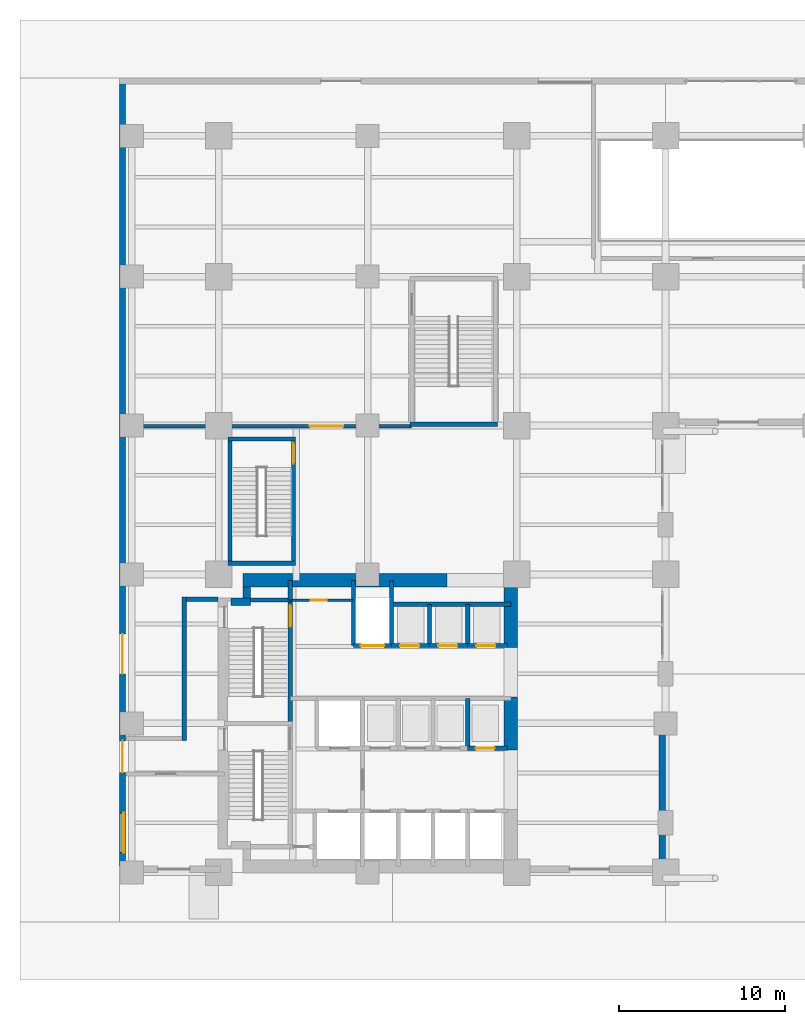
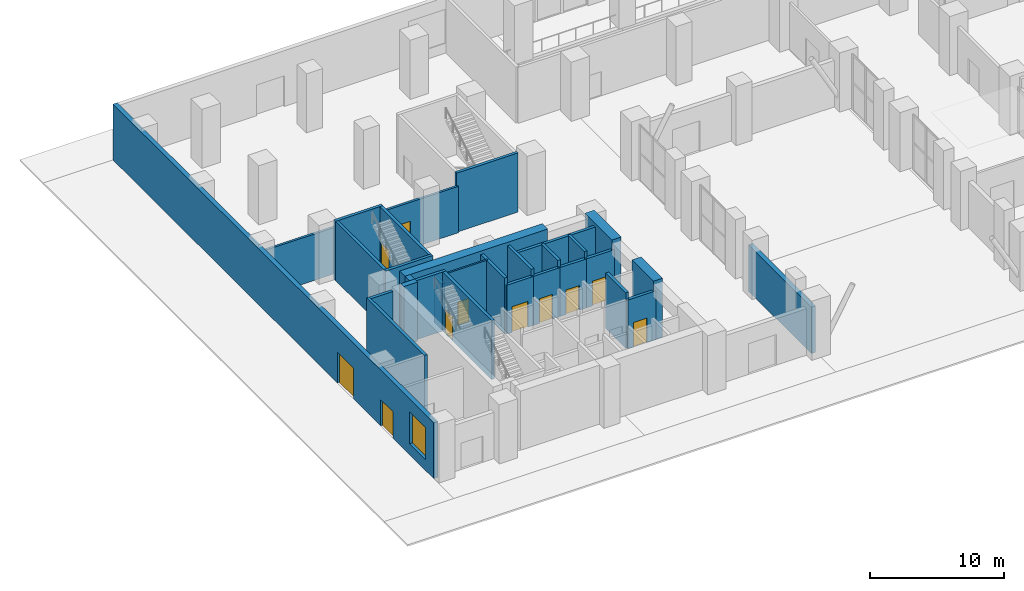
# One storey, part 12 of 17: 30 walls, 11 doors, 1 window, 12 openings.
"""IFC4 building model written with IfcOpenShell, lengths in metres."""

import ifcopenshell
import ifcopenshell.guid

model = None  # the IFC model being written
_history = None  # IfcOwnerHistory: only IFC2X3 demands one
_inside = {}  # id of a spatial element -> (the spatial element, [elements in it])
_under = {}  # id of a project, library or spatial element -> (it, [spatial elements below it])
_declared = {}  # id of a project -> (the project, [libraries it declares])
_typed = {}  # id of a type object -> (the type object, [elements of that type])
_made_of = {}  # id of a material, layer set ... -> (it, [elements and type objects made of it])


def new_model(schema):
    """Start an empty IFC model of exactly this schema.

    Asked for "IFC4X3", IfcOpenShell would pick the latest addendum, in which some entities
    have other attributes; the version numbers below select the first issue.
    IFC2X3 requires an IfcOwnerHistory on every rooted entity: one is made here for all.
    """
    global model, _history
    if schema == "IFC4X3":
        model = ifcopenshell.file(schema_version=(4, 3, 0, 0))
    else:
        model = ifcopenshell.file(schema=schema)
    _inside.clear()
    _under.clear()
    _declared.clear()
    _typed.clear()
    _made_of.clear()
    _history = None
    if model.schema == "IFC2X3":
        org = make("IfcOrganization", Name="unknown")
        user = make(
            "IfcPersonAndOrganization",
            ThePerson=make("IfcPerson", FamilyName="unknown"),
            TheOrganization=org,
        )
        app = make(
            "IfcApplication",
            ApplicationDeveloper=org,
            Version="unknown",
            ApplicationFullName="unknown",
            ApplicationIdentifier="unknown",
        )
        _history = make(
            "IfcOwnerHistory",
            OwningUser=user,
            OwningApplication=app,
            ChangeAction="ADDED",
            CreationDate=0,
        )
    return model


def make(cls, **values):
    """One entity of the class cls with the attributes given. An attribute that is None is left unset."""
    return model.create_entity(
        cls, **{name: value for name, value in values.items() if value is not None}
    )


def rooted(cls, **values):
    """An entity with a GlobalId (a new one), such as an element, a storey or a relation."""
    return make(cls, GlobalId=ifcopenshell.guid.new(), OwnerHistory=_history, **values)


def si_unit(unit_type, name, prefix=None):
    """IfcSIUnit, for example si_unit("LENGTHUNIT", "METRE", prefix="MILLI")."""
    return make("IfcSIUnit", UnitType=unit_type, Prefix=prefix, Name=name)


def assignment(units):
    """IfcUnitAssignment: the units of a project."""
    return None if units is None else make("IfcUnitAssignment", Units=units)


def point(xyz):
    """IfcCartesianPoint."""
    return None if xyz is None else make("IfcCartesianPoint", Coordinates=xyz)


def direction(xyz):
    """IfcDirection."""
    return None if xyz is None else make("IfcDirection", DirectionRatios=xyz)


def frame(location, z_axis=None, x_axis=None):
    """IfcAxis2Placement3D, a coordinate frame: its origin and axes. An axis left out is left unset."""
    return make(
        "IfcAxis2Placement3D",
        Location=point(location),
        Axis=direction(z_axis),
        RefDirection=direction(x_axis),
    )


def frame_2d(location, x_axis=None):
    """IfcAxis2Placement2D, a coordinate frame in the plane: its origin and x axis."""
    return make(
        "IfcAxis2Placement2D", Location=point(location), RefDirection=direction(x_axis)
    )


def origin():
    """The frame at (0, 0, 0) with its axes left unset."""
    return frame((0.0, 0.0, 0.0))


def place(relative_to, where):
    """IfcLocalPlacement: puts the frame where relative to a parent placement (None: the world)."""
    return make(
        "IfcLocalPlacement", PlacementRelTo=relative_to, RelativePlacement=where
    )


def context(
    kind, dimensions, precision=None, world=None, true_north=None, identifier=None
):
    """IfcGeometricRepresentationContext, for example the 3D "Model" context."""
    return make(
        "IfcGeometricRepresentationContext",
        ContextIdentifier=identifier,
        ContextType=kind,
        CoordinateSpaceDimension=dimensions,
        Precision=precision,
        WorldCoordinateSystem=world,
        TrueNorth=true_north,
    )


def subcontext(parent, identifier, kind, view, scale=None):
    """IfcGeometricRepresentationSubContext, for example "Body" below "Model"."""
    return make(
        "IfcGeometricRepresentationSubContext",
        ContextIdentifier=identifier,
        ContextType=kind,
        ParentContext=parent,
        TargetScale=scale,
        TargetView=view,
    )


def project(units=None, contexts=None):
    """IfcProject with its units and contexts."""
    return rooted(
        "IfcProject",
        Name="project",
        RepresentationContexts=contexts,
        UnitsInContext=assignment(units),
    )


def spatial(cls, under=None, at=None, **own):
    """A site, building, storey or space (cls), placed at a placement, below another one or the project."""
    s = rooted(cls, ObjectPlacement=at, **own)
    if under is not None:
        _under.setdefault(under.id(), (under, []))[1].append(s)
    return s


def profile(cls, at=None, kind="AREA", **sizes):
    """A parametric profile (cls). Its sizes go by their IFC names, for example OverallWidth=200.0."""
    return make(cls, ProfileType=kind, Position=at, **sizes)


def rectangle(**sizes):
    """IfcRectangleProfileDef."""
    return profile("IfcRectangleProfileDef", **sizes)


def extrude(swept, where, along, depth):
    """IfcExtrudedAreaSolid: the profile swept, set in the frame where, extruded along a direction by depth."""
    return make(
        "IfcExtrudedAreaSolid",
        SweptArea=swept,
        Position=where,
        ExtrudedDirection=direction(along),
        Depth=depth,
    )


def shape(context_of_items, identifier, shape_type, items):
    """IfcShapeRepresentation: the items that make up one representation, for example the "Body"."""
    return make(
        "IfcShapeRepresentation",
        ContextOfItems=context_of_items,
        RepresentationIdentifier=identifier,
        RepresentationType=shape_type,
        Items=items,
    )


def material(Name=None, Category=None):
    """IfcMaterial."""
    return make("IfcMaterial", Name=Name, Category=Category)


def layer(
    of_material, thickness, ventilated=None, Name=None, Category=None, Priority=None
):
    """IfcMaterialLayer: one layer of a wall or slab, of a material (None: an air gap)."""
    return make(
        "IfcMaterialLayer",
        Material=of_material,
        LayerThickness=thickness,
        IsVentilated=ventilated,
        Name=Name,
        Category=Category,
        Priority=Priority,
    )


def layer_set(layers, Name=None):
    """IfcMaterialLayerSet."""
    return make("IfcMaterialLayerSet", MaterialLayers=layers, LayerSetName=Name)


def made_of(thing, what):
    """Note that an element or type object is made of a material, layer set ...; save() writes the relation."""
    if what is not None:
        _made_of.setdefault(what.id(), (what, []))[1].append(thing)
    return thing


def type_object(cls, material=None, **own):
    """A type object (cls), such as IfcWallType, which elements share."""
    return made_of(rooted(cls, **own), material)


def element(
    cls,
    number,
    at=None,
    inside=None,
    cuts=None,
    type_object=None,
    material=None,
    context=None,
    identifier="Body",
    shape_type=None,
    held_by="IfcProductDefinitionShape",
    body=None,
    shapes=None,
    **own,
):
    """One element of the class cls, such as IfcWall. Its Tag is "e" and its number.

    at: its placement. inside: the storey or other place that contains it. cuts: it is an
    opening in that element (IfcRelVoidsElement). A single representation is given by context,
    identifier, shape_type and body (its items); several are given by shapes. held_by: the class
    of the entity that holds the representations. save() writes the other relations.
    """
    e = rooted(cls, Tag="e%d" % number, ObjectPlacement=at, **own)
    if body is not None:
        shapes = [shape(context, identifier, shape_type, body)]
    if shapes is not None:
        e.Representation = make(held_by, Representations=shapes)
    if inside is not None:
        _inside.setdefault(inside.id(), (inside, []))[1].append(e)
    if cuts is not None:
        rooted(
            "IfcRelVoidsElement", RelatingBuildingElement=cuts, RelatedOpeningElement=e
        )
    if type_object is not None:
        _typed.setdefault(type_object.id(), (type_object, []))[1].append(e)
    return made_of(e, material)


def fill(opening, filler):
    """IfcRelFillsElement: the door or window that sits in an opening."""
    return rooted(
        "IfcRelFillsElement",
        RelatingOpeningElement=opening,
        RelatedBuildingElement=filler,
    )


def aggregate(whole, parts):
    """IfcRelAggregates: a whole, such as a stair, and the parts it consists of."""
    return rooted("IfcRelAggregates", RelatingObject=whole, RelatedObjects=parts)


def save(model, path):
    """Write the relations noted so far, then the file.

    IfcRelAggregates (storeys below a building ...), IfcRelContainedInSpatialStructure (elements
    in a storey), IfcRelDefinesByType, IfcRelAssociatesMaterial and IfcRelDeclares: one each for
    every whole, place, type object, material and project.
    """
    for whole, parts in _under.values():
        aggregate(whole, parts)
    for where, things in _inside.values():
        rooted(
            "IfcRelContainedInSpatialStructure",
            RelatedElements=things,
            RelatingStructure=where,
        )
    for kind, things in _typed.values():
        rooted("IfcRelDefinesByType", RelatedObjects=things, RelatingType=kind)
    for what, things in _made_of.values():
        rooted("IfcRelAssociatesMaterial", RelatedObjects=things, RelatingMaterial=what)
    for by, libraries in _declared.values():
        rooted("IfcRelDeclares", RelatingContext=by, RelatedDefinitions=libraries)
    model.write(path)


model = new_model("IFC4")

# Units and contexts
model_context = context("Model", 3, precision=1e-05, world=origin(), true_north=direction((0.0, 1.0)))
body_context = subcontext(model_context, "Body", "Model", "MODEL_VIEW")
ifc_project = project(units=[si_unit("LENGTHUNIT", "METRE"), si_unit("AREAUNIT", "SQUARE_METRE"), si_unit("VOLUMEUNIT", "CUBIC_METRE"), si_unit("PLANEANGLEUNIT", "RADIAN"), si_unit("MASSUNIT", "GRAM", prefix="KILO")], contexts=[model_context])

# Site, building, storey
site_placement = place(None, origin())
site = spatial("IfcSite", under=ifc_project, at=site_placement, CompositionType="ELEMENT")
building_placement = place(site_placement, origin())
building = spatial("IfcBuilding", under=site, at=building_placement, Name="Mawjdan Bourse Tower", CompositionType="ELEMENT")
storey_placement = place(building_placement, origin())
storey = spatial("IfcBuildingStorey", under=building, at=storey_placement, Name="L00", CompositionType="ELEMENT", Elevation=0.0)

# Wall
ifc_material_1 = material(Name="Brick Masonry Terracotta Red", Category="masonry")
ifc_layer_1 = layer(ifc_material_1, 0.3798828125)
ifc_layer_set_1 = layer_set([ifc_layer_1], Name="Brick Masonry Terracotta Red")
wall_type_1 = type_object("IfcWallType", Name="WL-BRK-RED-380", PredefinedType="STANDARD", material=ifc_layer_set_1)
wall_1_placement = place(storey_placement, frame((32.81005859375, 12.39990234375, 0.0), z_axis=(0.0, 0.0, 1.0), x_axis=(0.0, -1.0, 0.0)))
element("IfcWall", 1, at=wall_1_placement, inside=storey, type_object=wall_type_1, Name="L00 Podium Brick Wall ARCH-WP", PredefinedType="STANDARD", context=body_context, shape_type="SweptSolid", body=[
    extrude(rectangle(XDim=9.39990234375, YDim=0.3798828125, at=frame_2d((4.699951171875, 0.0))), origin(), (0.0, 0.0, 1.0), 4.23388671875),
])

# Wall, openings, doors, window
wall_2_placement = place(storey_placement, frame((0.18994140625, 51.0, 0.0), z_axis=(0.0, 0.0, 1.0), x_axis=(0.0, -1.0, 0.0)))
wall_2 = element("IfcWall", 2, at=wall_2_placement, inside=storey, type_object=wall_type_1, Name="L00 Podium Brick Wall WEST", PredefinedType="STANDARD", context=body_context, shape_type="SweptSolid", body=[
    extrude(rectangle(XDim=48.0, YDim=0.3798828125, at=frame_2d((24.0, 0.0))), origin(), (0.0, 0.0, 1.0), 5.10009765625),
])
opening_1_placement = place(wall_2_placement, frame((33.60009765625, 0.0, 0.0)))
opening_1 = element("IfcOpeningElement", 3, at=opening_1_placement, cuts=wall_2, Name="Opening ED-L00-06", PredefinedType="OPENING", context=body_context, shape_type="SweptSolid", body=[
    extrude(rectangle(XDim=2.39990234375, YDim=2.800048828125, at=frame_2d((1.199951171875, 1.39990234375))), frame((0.0, 0.199951171875, 0.0), z_axis=(0.0, -1.0, 0.0), x_axis=(1.0, 0.0, 0.0)), (0.0, 0.0, 1.0), 0.39990234375),
])
opening_2_placement = place(wall_2_placement, frame((40.050048828125, 0.0, 0.0)))
opening_2 = element("IfcOpeningElement", 4, at=opening_2_placement, cuts=wall_2, Name="Opening ED-L00-07", PredefinedType="OPENING", context=body_context, shape_type="SweptSolid", body=[
    extrude(rectangle(XDim=1.89990234375, YDim=2.39990234375, at=frame_2d((0.949951171875, 1.199951171875))), frame((0.0, 0.199951171875, 0.0), z_axis=(0.0, -1.0, 0.0), x_axis=(1.0, 0.0, 0.0)), (0.0, 0.0, 1.0), 0.39990234375),
])
opening_3_placement = place(wall_2_placement, frame((44.39990234375, 0.0, 1.0)))
opening_3 = element("IfcOpeningElement", 5, at=opening_3_placement, cuts=wall_2, Name="Opening W-L00-05", PredefinedType="OPENING", context=body_context, shape_type="SweptSolid", body=[
    extrude(rectangle(XDim=2.39990234375, YDim=2.89990234375, at=frame_2d((1.199951171875, 1.449951171875))), frame((0.0, 0.199951171875, 0.0), z_axis=(0.0, -1.0, 0.0), x_axis=(1.0, 0.0, 0.0)), (0.0, 0.0, 1.0), 0.39990234375),
])
ifc_material_2 = material(Name="Thermally Broken Glazed Bronze Aluminium", Category="aluminium")
door_type_1 = type_object("IfcDoorType", Name="DR-ENT-2400", OperationType="DOUBLE_DOOR_SINGLE_SWING", PredefinedType="DOOR", material=ifc_material_2)
door_1_placement = place(opening_1_placement, frame((2.39990234375, 0.0, 0.0), z_axis=(0.0, 0.0, 1.0), x_axis=(-1.0, 0.0, 0.0)))
door_1 = element("IfcDoor", 6, at=door_1_placement, inside=storey, type_object=door_type_1, Name="L00 West Ceremonial Drop-Off Entrance", OperationType="DOUBLE_DOOR_SINGLE_SWING", OverallHeight=2.800048828125, OverallWidth=2.39990234375, PredefinedType="DOOR", context=body_context, shape_type="SweptSolid", body=[
    extrude(rectangle(XDim=2.39990234375, YDim=2.800048828125, at=frame_2d((1.199951171875, 1.39990234375))), frame((0.0, 0.02490234375, 0.0), z_axis=(0.0, -1.0, 0.0), x_axis=(1.0, 0.0, 0.0)), (0.0, 0.0, 1.0), 0.050048828125),
])
fill(opening_1, door_1)
ifc_material_3 = material(Name="Painted Galvanised Steel", Category="steel")
door_type_2 = type_object("IfcDoorType", Name="DR-EXT-1900", OperationType="DOUBLE_DOOR_SINGLE_SWING", PredefinedType="DOOR", material=ifc_material_3)
door_2_placement = place(opening_2_placement, frame((1.89990234375, 0.0, 0.0), z_axis=(0.0, 0.0, 1.0), x_axis=(-1.0, 0.0, 0.0)))
door_2 = element("IfcDoor", 7, at=door_2_placement, inside=storey, type_object=door_type_2, Name="L00 Exit Passage Final Exit Door", OperationType="DOUBLE_DOOR_SINGLE_SWING", OverallHeight=2.39990234375, OverallWidth=1.89990234375, PredefinedType="DOOR", context=body_context, shape_type="SweptSolid", body=[
    extrude(rectangle(XDim=1.89990234375, YDim=2.39990234375, at=frame_2d((0.949951171875, 1.199951171875))), frame((0.0, 0.02490234375, 0.0), z_axis=(0.0, -1.0, 0.0), x_axis=(1.0, 0.0, 0.0)), (0.0, 0.0, 1.0), 0.050048828125),
])
fill(opening_2, door_2)
ifc_material_4 = material(Name="Solar-Control Clear Double Glazing", Category="glass")
window_type = type_object("IfcWindowType", Name="WN-POD-2400", PartitioningType="SINGLE_PANEL", PredefinedType="WINDOW", material=ifc_material_4)
window_placement = place(opening_3_placement, origin())
window = element("IfcWindow", 8, at=window_placement, inside=storey, type_object=window_type, Name="L00 Deep-Set Masonry Window W-L00-05", OverallHeight=2.89990234375, OverallWidth=2.39990234375, PartitioningType="SINGLE_PANEL", PredefinedType="WINDOW", context=body_context, shape_type="SweptSolid", body=[
    extrude(rectangle(XDim=2.39990234375, YDim=2.89990234375, at=frame_2d((1.199951171875, 1.449951171875))), frame((0.0, 0.110107421875, 0.0), z_axis=(0.0, -1.0, 0.0), x_axis=(1.0, 0.0, 0.0)), (0.0, 0.0, 1.0), 0.06005859375),
])
fill(opening_3, window)

# Wall, opening, door
ifc_material_5 = material(Name="Gypsum Fireboard Assembly")
ifc_layer_2 = layer(ifc_material_5, 0.199951171875)
ifc_layer_set_2 = layer_set([ifc_layer_2], Name="Gypsum Fireboard Assembly")
wall_type_2 = type_object("IfcWallType", Name="WL-CMP-200", PredefinedType="PARTITIONING", material=ifc_layer_set_2)
wall_3_placement = place(storey_placement, frame((0.419921875, 29.949951171875, 0.0), z_axis=(0.0, 0.0, 1.0), x_axis=(1.0, 0.0, 0.0)))
wall_3 = element("IfcWall", 9, at=wall_3_placement, inside=storey, type_object=wall_type_2, Name="L00 Registration South Wall", PredefinedType="PARTITIONING", context=body_context, shape_type="SweptSolid", body=[
    extrude(rectangle(XDim=17.22998046875, YDim=0.199951171875, at=frame_2d((8.614990234375, 0.0))), origin(), (0.0, 0.0, 1.0), 4.23388671875),
])
opening_4_placement = place(wall_3_placement, frame((11.10009765625, 0.0, 0.0)))
opening_4 = element("IfcOpeningElement", 10, at=opening_4_placement, cuts=wall_3, Name="Opening D-L00-26", PredefinedType="OPENING", context=body_context, shape_type="SweptSolid", body=[
    extrude(rectangle(XDim=2.0, YDim=2.5, at=frame_2d((1.0, 1.25))), frame((0.0, 0.10986328125, 0.0), z_axis=(0.0, -1.0, 0.0), x_axis=(1.0, 0.0, 0.0)), (0.0, 0.0, 1.0), 0.219970703125),
])
ifc_material_6 = material(Name="Acoustic Veneered Timber", Category="wood")
door_type_3 = type_object("IfcDoorType", Name="DR-ASM-2000", OperationType="DOUBLE_DOOR_SINGLE_SWING", PredefinedType="DOOR", material=ifc_material_6)
door_3_placement = place(opening_4_placement, origin())
door_3 = element("IfcDoor", 11, at=door_3_placement, inside=storey, type_object=door_type_3, Name="L00 Registration Hall Door D-L00-26", OperationType="DOUBLE_DOOR_SINGLE_SWING", OverallHeight=2.5, OverallWidth=2.0, PredefinedType="DOOR", context=body_context, shape_type="SweptSolid", body=[
    extrude(rectangle(XDim=2.0, YDim=2.5, at=frame_2d((1.0, 1.25))), frame((0.0, 0.02490234375, 0.0), z_axis=(0.0, -1.0, 0.0), x_axis=(1.0, 0.0, 0.0)), (0.0, 0.0, 1.0), 0.050048828125),
])
fill(opening_4, door_3)

# Walls
ifc_material_7 = material(Name="Concrete C60/75", Category="concrete")
ifc_layer_3 = layer(ifc_material_7, 0.449951171875)
ifc_layer_set_3 = layer_set([ifc_layer_3], Name="Concrete C60/75")
wall_type_3 = type_object("IfcWallType", Name="WL-CORE-450", PredefinedType="SHEAR", material=ifc_layer_set_3)
wall_4_placement = place(storey_placement, frame((6.75, 19.35009765625, 0.0), z_axis=(0.0, 0.0, 1.0), x_axis=(1.0, 0.0, 0.0)))
element("IfcWall", 12, at=wall_4_placement, inside=storey, type_object=wall_type_3, Name="L00 Rear Core Shear Wall NW-X", PredefinedType="SHEAR", context=body_context, shape_type="SweptSolid", body=[
    extrude(rectangle(XDim=1.175048828125, YDim=0.449951171875, at=frame_2d((0.58740234375, 0.0))), origin(), (0.0, 0.0, 1.0), 5.39990234375),
])
wall_5_placement = place(storey_placement, frame((7.699951171875, 19.574951171875, 0.0), z_axis=(0.0, 0.0, 1.0), x_axis=(0.0, 1.0, 0.0)))
element("IfcWall", 13, at=wall_5_placement, inside=storey, type_object=wall_type_3, Name="L00 Rear Core Shear Wall NW-Y", PredefinedType="SHEAR", context=body_context, shape_type="SweptSolid", body=[
    extrude(rectangle(XDim=0.675048828125, YDim=0.449951171875, at=frame_2d((0.33740234375, 0.0))), origin(), (0.0, 0.0, 1.0), 5.39990234375),
])
ifc_material_8 = material(Name="Concrete C80/95", Category="concrete")
ifc_layer_4 = layer(ifc_material_8, 0.800048828125)
ifc_layer_set_4 = layer_set([ifc_layer_4], Name="Concrete C80/95")
wall_type_4 = type_object("IfcWallType", Name="WL-CORE-800", PredefinedType="SHEAR", material=ifc_layer_set_4)
wall_6_placement = place(storey_placement, frame((7.47509765625, 20.64990234375, 0.0), z_axis=(0.0, 0.0, 1.0), x_axis=(1.0, 0.0, 0.0)))
element("IfcWall", 14, at=wall_6_placement, inside=storey, type_object=wall_type_4, Name="L00 Rear Core Shear Wall N", PredefinedType="SHEAR", context=body_context, shape_type="SweptSolid", body=[
    extrude(rectangle(XDim=12.324951171875, YDim=0.800048828125, at=frame_2d((6.16259765625, 0.0))), origin(), (0.0, 0.0, 1.0), 5.39990234375),
])
wall_7_placement = place(storey_placement, frame((23.64990234375, 10.39990234375, 0.0), z_axis=(0.0, 0.0, 1.0), x_axis=(0.0, 1.0, 0.0)))
element("IfcWall", 15, at=wall_7_placement, inside=storey, type_object=wall_type_4, Name="L00 Rear Core Shear Wall E2", PredefinedType="SHEAR", context=body_context, shape_type="SweptSolid", body=[
    extrude(rectangle(XDim=3.2001953125, YDim=0.800048828125, at=frame_2d((1.60009765625, 0.0))), origin(), (0.0, 0.0, 1.0), 5.39990234375),
])
wall_8_placement = place(storey_placement, frame((23.64990234375, 16.60009765625, 0.0), z_axis=(0.0, 0.0, 1.0), x_axis=(0.0, 1.0, 0.0)))
element("IfcWall", 16, at=wall_8_placement, inside=storey, type_object=wall_type_4, Name="L00 Rear Core Shear Wall E3", PredefinedType="SHEAR", context=body_context, shape_type="SweptSolid", body=[
    extrude(rectangle(XDim=4.0498046875, YDim=0.800048828125, at=frame_2d((2.02490234375, 0.0))), origin(), (0.0, 0.0, 1.0), 5.39990234375),
])

# Wall, opening, door
ifc_material_9 = material(Name="Gypsum Acoustic Partition")
ifc_layer_5 = layer(ifc_material_9, 0.14990234375)
ifc_layer_set_5 = layer_set([ifc_layer_5], Name="Gypsum Acoustic Partition")
wall_type_5 = type_object("IfcWallType", Name="WL-PRT-150", PredefinedType="PARTITIONING", material=ifc_layer_set_5)
wall_9_placement = place(storey_placement, frame((10.330078125, 19.449951171875, 0.0), z_axis=(0.0, 0.0, 1.0), x_axis=(1.0, 0.0, 0.0)))
wall_9 = element("IfcWall", 17, at=wall_9_placement, inside=storey, type_object=wall_type_5, Name="L00 Housekeeping South Wall", PredefinedType="PARTITIONING", context=body_context, shape_type="SweptSolid", body=[
    extrude(rectangle(XDim=3.81982421875, YDim=0.14990234375, at=frame_2d((1.909912109375, 0.0))), origin(), (0.0, 0.0, 1.0), 5.090087890625),
])
opening_5_placement = place(wall_9_placement, frame((1.25, 0.0, 0.0)))
opening_5 = element("IfcOpeningElement", 18, at=opening_5_placement, cuts=wall_9, Name="Opening D-L00-21", PredefinedType="OPENING", context=body_context, shape_type="SweptSolid", body=[
    extrude(rectangle(XDim=0.949951171875, YDim=2.10009765625, at=frame_2d((0.47509765625, 1.050048828125))), frame((0.0, 0.0849609375, 0.0), z_axis=(0.0, -1.0, 0.0), x_axis=(1.0, 0.0, 0.0)), (0.0, 0.0, 1.0), 0.169921875),
])
ifc_material_10 = material(Name="Moisture-Resistant Laminate Timber", Category="wood")
door_type_4 = type_object("IfcDoorType", Name="DR-WET-0950", OperationType="NOTDEFINED", PredefinedType="DOOR", material=ifc_material_10)
door_4_placement = place(opening_5_placement, origin())
door_4 = element("IfcDoor", 19, at=door_4_placement, inside=storey, type_object=door_type_4, Name="L00 Housekeeping Closet Door D-L00-21", OperationType="SINGLE_SWING_LEFT", OverallHeight=2.10009765625, OverallWidth=0.949951171875, PredefinedType="DOOR", context=body_context, shape_type="SweptSolid", body=[
    extrude(rectangle(XDim=0.949951171875, YDim=2.10009765625, at=frame_2d((0.47509765625, 1.050048828125))), frame((0.0, 0.02490234375, 0.0), z_axis=(0.0, -1.0, 0.0), x_axis=(1.0, 0.0, 0.0)), (0.0, 0.0, 1.0), 0.050048828125),
])
fill(opening_5, door_4)

# Wall
ifc_material_11 = material(Name="Concrete C50/60", Category="concrete")
ifc_layer_6 = layer(ifc_material_11, 0.25)
ifc_layer_set_6 = layer_set([ifc_layer_6], Name="Concrete C50/60")
wall_type_6 = type_object("IfcWallType", Name="WL-SHFT-250", PredefinedType="PARTITIONING", material=ifc_layer_set_6)
wall_10_placement = place(storey_placement, frame((10.330078125, 19.449951171875, 0.0), z_axis=(0.0, 0.0, 1.0), x_axis=(0.0, 1.0, 0.0)))
element("IfcWall", 20, at=wall_10_placement, inside=storey, type_object=wall_type_6, Name="L00 NW Riser East Wall", PredefinedType="PARTITIONING", context=body_context, shape_type="SweptSolid", body=[
    extrude(rectangle(XDim=1.199951171875, YDim=0.25, at=frame_2d((0.60009765625, 0.0))), origin(), (0.0, 0.0, 1.0), 4.23388671875),
])

# Wall, opening, door
wall_11_placement = place(storey_placement, frame((14.14990234375, 16.699951171875, 0.0), z_axis=(0.0, 0.0, 1.0), x_axis=(1.0, 0.0, 0.0)))
wall_11 = element("IfcWall", 21, at=wall_11_placement, inside=storey, type_object=wall_type_6, Name="L00 SVL-01 Front Shaft Wall", PredefinedType="PARTITIONING", context=body_context, shape_type="SweptSolid", body=[
    extrude(rectangle(XDim=2.300048828125, YDim=0.25, at=frame_2d((1.14990234375, 0.0))), origin(), (0.0, 0.0, 1.0), 4.472900390625),
])
opening_6_placement = place(wall_11_placement, frame((0.449951171875, 0.0, 0.0)))
opening_6 = element("IfcOpeningElement", 22, at=opening_6_placement, cuts=wall_11, Name="Opening LD-L00-09", PredefinedType="OPENING", context=body_context, shape_type="SweptSolid", body=[
    extrude(rectangle(XDim=1.39990234375, YDim=2.35009765625, at=frame_2d((0.699951171875, 1.175048828125))), frame((0.0, 0.135009765625, 0.0), z_axis=(0.0, -1.0, 0.0), x_axis=(1.0, 0.0, 0.0)), (0.0, 0.0, 1.0), 0.27001953125),
])
ifc_material_12 = material(Name="Heavy-Duty Stainless Steel", Category="steel")
door_type_5 = type_object("IfcDoorType", Name="LD-SRV-1400", OperationType="DOUBLE_DOOR_SLIDING", PredefinedType="DOOR", material=ifc_material_12)
door_5_placement = place(opening_6_placement, origin())
door_5 = element("IfcDoor", 23, at=door_5_placement, inside=storey, type_object=door_type_5, Name="L00 Service Lift SVL-01 Landing Door LD-L00-09", OperationType="DOUBLE_DOOR_SLIDING", OverallHeight=2.35009765625, OverallWidth=1.39990234375, PredefinedType="DOOR", context=body_context, shape_type="SweptSolid", body=[
    extrude(rectangle(XDim=1.39990234375, YDim=2.35009765625, at=frame_2d((0.699951171875, 1.175048828125))), frame((0.0, 0.02490234375, 0.0), z_axis=(0.0, -1.0, 0.0), x_axis=(1.0, 0.0, 0.0)), (0.0, 0.0, 1.0), 0.050048828125),
])
fill(opening_6, door_5)

# Walls
for number, where, z_axis, x_axis, name in (
    (24, (14.14990234375, 16.699951171875, 0.0), (0.0, 0.0, 1.0), (0.0, 1.0, 0.0), "L00 SVL-01 West Shaft Wall"),
    (25, (16.449951171875, 16.699951171875, 0.0), (0.0, 0.0, 1.0), (0.0, 1.0, 0.0), "L00 SVL-01 East Shaft Wall"),
):
    element("IfcWall", number, at=place(storey_placement, frame(where, z_axis=z_axis, x_axis=x_axis)), inside=storey, type_object=wall_type_6, Name=name, PredefinedType="PARTITIONING", context=body_context, shape_type="SweptSolid", body=[
        extrude(rectangle(XDim=3.949951171875, YDim=0.25, at=frame_2d((1.97509765625, 0.0))), origin(), (0.0, 0.0, 1.0), 5.090087890625),
    ])

# Wall, opening, door
wall_12_placement = place(storey_placement, frame((16.449951171875, 16.699951171875, 0.0), z_axis=(0.0, 0.0, 1.0), x_axis=(1.0, 0.0, 0.0)))
wall_12 = element("IfcWall", 26, at=wall_12_placement, inside=storey, type_object=wall_type_6, Name="L00 PH-01 Front Wall", PredefinedType="PARTITIONING", context=body_context, shape_type="SweptSolid", body=[
    extrude(rectangle(XDim=2.300048828125, YDim=0.25, at=frame_2d((1.14990234375, 0.0))), origin(), (0.0, 0.0, 1.0), 4.472900390625),
])
opening_7_placement = place(wall_12_placement, frame((0.52001953125, 0.0, 0.0)))
opening_7 = element("IfcOpeningElement", 27, at=opening_7_placement, cuts=wall_12, Name="Opening LD-L00-10", PredefinedType="OPENING", context=body_context, shape_type="SweptSolid", body=[
    extrude(rectangle(XDim=1.14990234375, YDim=2.25, at=frame_2d((0.574951171875, 1.125))), frame((0.0, 0.135009765625, 0.0), z_axis=(0.0, -1.0, 0.0), x_axis=(1.0, 0.0, 0.0)), (0.0, 0.0, 1.0), 0.27001953125),
])
ifc_material_13 = material(Name="Brushed Stainless Steel", Category="steel")
door_type_6 = type_object("IfcDoorType", Name="LD-PAS-1150", OperationType="DOUBLE_DOOR_SLIDING", PredefinedType="DOOR", material=ifc_material_13)
door_6_placement = place(opening_7_placement, origin())
door_6 = element("IfcDoor", 28, at=door_6_placement, inside=storey, type_object=door_type_6, Name="L00 Lift PH-01 Landing Door LD-L00-10", OperationType="DOUBLE_DOOR_SLIDING", OverallHeight=2.25, OverallWidth=1.14990234375, PredefinedType="DOOR", context=body_context, shape_type="SweptSolid", body=[
    extrude(rectangle(XDim=1.14990234375, YDim=2.25, at=frame_2d((0.574951171875, 1.125))), frame((0.0, 0.02490234375, 0.0), z_axis=(0.0, -1.0, 0.0), x_axis=(1.0, 0.0, 0.0)), (0.0, 0.0, 1.0), 0.050048828125),
])
fill(opening_7, door_6)

# Wall
wall_13_placement = place(storey_placement, frame((18.75, 16.699951171875, 0.0), z_axis=(0.0, 0.0, 1.0), x_axis=(0.0, 1.0, 0.0)))
element("IfcWall", 29, at=wall_13_placement, inside=storey, type_object=wall_type_6, Name="L00 PH-01 Divider Wall", PredefinedType="PARTITIONING", context=body_context, shape_type="SweptSolid", body=[
    extrude(rectangle(XDim=2.5, YDim=0.25, at=frame_2d((1.25, 0.0))), origin(), (0.0, 0.0, 1.0), 5.090087890625),
])

# Wall, opening, door
wall_14_placement = place(storey_placement, frame((18.75, 16.699951171875, 0.0), z_axis=(0.0, 0.0, 1.0), x_axis=(1.0, 0.0, 0.0)))
wall_14 = element("IfcWall", 30, at=wall_14_placement, inside=storey, type_object=wall_type_6, Name="L00 PH-02 Front Wall", PredefinedType="PARTITIONING", context=body_context, shape_type="SweptSolid", body=[
    extrude(rectangle(XDim=2.300048828125, YDim=0.25, at=frame_2d((1.14990234375, 0.0))), origin(), (0.0, 0.0, 1.0), 4.472900390625),
])
opening_8_placement = place(wall_14_placement, frame((0.52001953125, 0.0, 0.0)))
opening_8 = element("IfcOpeningElement", 31, at=opening_8_placement, cuts=wall_14, Name="Opening LD-L00-11", PredefinedType="OPENING", context=body_context, shape_type="SweptSolid", body=[
    extrude(rectangle(XDim=1.14990234375, YDim=2.25, at=frame_2d((0.574951171875, 1.125))), frame((0.0, 0.135009765625, 0.0), z_axis=(0.0, -1.0, 0.0), x_axis=(1.0, 0.0, 0.0)), (0.0, 0.0, 1.0), 0.27001953125),
])
door_7_placement = place(opening_8_placement, origin())
door_7 = element("IfcDoor", 32, at=door_7_placement, inside=storey, type_object=door_type_6, Name="L00 Lift PH-02 Landing Door LD-L00-11", OperationType="DOUBLE_DOOR_SLIDING", OverallHeight=2.25, OverallWidth=1.14990234375, PredefinedType="DOOR", context=body_context, shape_type="SweptSolid", body=[
    extrude(rectangle(XDim=1.14990234375, YDim=2.25, at=frame_2d((0.574951171875, 1.125))), frame((0.0, 0.02490234375, 0.0), z_axis=(0.0, -1.0, 0.0), x_axis=(1.0, 0.0, 0.0)), (0.0, 0.0, 1.0), 0.050048828125),
])
fill(opening_8, door_7)

# Wall
wall_15_placement = place(storey_placement, frame((21.050048828125, 16.699951171875, 0.0), z_axis=(0.0, 0.0, 1.0), x_axis=(0.0, 1.0, 0.0)))
element("IfcWall", 33, at=wall_15_placement, inside=storey, type_object=wall_type_6, Name="L00 PH-02 Divider Wall", PredefinedType="PARTITIONING", context=body_context, shape_type="SweptSolid", body=[
    extrude(rectangle(XDim=2.5, YDim=0.25, at=frame_2d((1.25, 0.0))), origin(), (0.0, 0.0, 1.0), 5.090087890625),
])

# Wall, opening, door
wall_16_placement = place(storey_placement, frame((21.050048828125, 16.699951171875, 0.0), z_axis=(0.0, 0.0, 1.0), x_axis=(1.0, 0.0, 0.0)))
wall_16 = element("IfcWall", 34, at=wall_16_placement, inside=storey, type_object=wall_type_6, Name="L00 PH-03 Front Wall", PredefinedType="PARTITIONING", context=body_context, shape_type="SweptSolid", body=[
    extrude(rectangle(XDim=2.39990234375, YDim=0.25, at=frame_2d((1.199951171875, 0.0))), origin(), (0.0, 0.0, 1.0), 4.472900390625),
])
opening_9_placement = place(wall_16_placement, frame((0.52001953125, 0.0, 0.0)))
opening_9 = element("IfcOpeningElement", 35, at=opening_9_placement, cuts=wall_16, Name="Opening LD-L00-12", PredefinedType="OPENING", context=body_context, shape_type="SweptSolid", body=[
    extrude(rectangle(XDim=1.14990234375, YDim=2.25, at=frame_2d((0.574951171875, 1.125))), frame((0.0, 0.135009765625, 0.0), z_axis=(0.0, -1.0, 0.0), x_axis=(1.0, 0.0, 0.0)), (0.0, 0.0, 1.0), 0.27001953125),
])
door_8_placement = place(opening_9_placement, origin())
door_8 = element("IfcDoor", 36, at=door_8_placement, inside=storey, type_object=door_type_6, Name="L00 Lift PH-03 Landing Door LD-L00-12", OperationType="DOUBLE_DOOR_SLIDING", OverallHeight=2.25, OverallWidth=1.14990234375, PredefinedType="DOOR", context=body_context, shape_type="SweptSolid", body=[
    extrude(rectangle(XDim=1.14990234375, YDim=2.25, at=frame_2d((0.574951171875, 1.125))), frame((0.0, 0.02490234375, 0.0), z_axis=(0.0, -1.0, 0.0), x_axis=(1.0, 0.0, 0.0)), (0.0, 0.0, 1.0), 0.050048828125),
])
fill(opening_9, door_8)

# Walls
wall_17_placement = place(storey_placement, frame((16.449951171875, 19.199951171875, 0.0), z_axis=(0.0, 0.0, 1.0), x_axis=(1.0, 0.0, 0.0)))
element("IfcWall", 37, at=wall_17_placement, inside=storey, type_object=wall_type_6, Name="L00 PH Bank North Shaft Back Wall", PredefinedType="PARTITIONING", context=body_context, shape_type="SweptSolid", body=[
    extrude(rectangle(XDim=7.199951171875, YDim=0.25, at=frame_2d((3.60009765625, 0.0))), origin(), (0.0, 0.0, 1.0), 5.090087890625),
])
wall_18_placement = place(storey_placement, frame((21.050048828125, 10.5, 0.0), z_axis=(0.0, 0.0, 1.0), x_axis=(0.0, 1.0, 0.0)))
element("IfcWall", 38, at=wall_18_placement, inside=storey, type_object=wall_type_6, Name="L00 PM-03 Divider Wall", PredefinedType="PARTITIONING", context=body_context, shape_type="SweptSolid", body=[
    extrude(rectangle(XDim=3.0, YDim=0.25, at=frame_2d((1.5, 0.0))), origin(), (0.0, 0.0, 1.0), 5.090087890625),
])

# Wall, opening, door
wall_19_placement = place(storey_placement, frame((21.050048828125, 10.5, 0.0), z_axis=(0.0, 0.0, 1.0), x_axis=(1.0, 0.0, 0.0)))
wall_19 = element("IfcWall", 39, at=wall_19_placement, inside=storey, type_object=wall_type_6, Name="L00 PM-04 Front Wall", PredefinedType="PARTITIONING", context=body_context, shape_type="SweptSolid", body=[
    extrude(rectangle(XDim=2.39990234375, YDim=0.25, at=frame_2d((1.199951171875, 0.0))), origin(), (0.0, 0.0, 1.0), 4.472900390625),
])
opening_10_placement = place(wall_19_placement, frame((0.47998046875, 0.0, 0.0)))
opening_10 = element("IfcOpeningElement", 40, at=opening_10_placement, cuts=wall_19, Name="Opening LD-L00-20", PredefinedType="OPENING", context=body_context, shape_type="SweptSolid", body=[
    extrude(rectangle(XDim=1.14990234375, YDim=2.25, at=frame_2d((0.574951171875, 1.125))), frame((0.0, 0.135009765625, 0.0), z_axis=(0.0, -1.0, 0.0), x_axis=(1.0, 0.0, 0.0)), (0.0, 0.0, 1.0), 0.27001953125),
])
door_9_placement = place(opening_10_placement, origin())
door_9 = element("IfcDoor", 41, at=door_9_placement, inside=storey, type_object=door_type_6, Name="L00 Lift PM-04 Landing Door LD-L00-20", OperationType="DOUBLE_DOOR_SLIDING", OverallHeight=2.25, OverallWidth=1.14990234375, PredefinedType="DOOR", context=body_context, shape_type="SweptSolid", body=[
    extrude(rectangle(XDim=1.14990234375, YDim=2.25, at=frame_2d((0.574951171875, 1.125))), frame((0.0, 0.02490234375, 0.0), z_axis=(0.0, -1.0, 0.0), x_axis=(1.0, 0.0, 0.0)), (0.0, 0.0, 1.0), 0.050048828125),
])
fill(opening_10, door_9)

# Walls
wall_20_placement = place(storey_placement, frame((3.925048828125, 10.97509765625, 0.0), z_axis=(0.0, 0.0, 1.0), x_axis=(0.0, 1.0, 0.0)))
element("IfcWall", 42, at=wall_20_placement, inside=storey, type_object=wall_type_6, Name="L00 Exit Passage West Wall", PredefinedType="PARTITIONING", context=body_context, shape_type="SweptSolid", body=[
    extrude(rectangle(XDim=8.64990234375, YDim=0.25, at=frame_2d((4.324951171875, 0.0))), origin(), (0.0, 0.0, 1.0), 5.090087890625),
])
wall_21_placement = place(storey_placement, frame((4.050048828125, 19.5, 0.0), z_axis=(0.0, 0.0, 1.0), x_axis=(1.0, 0.0, 0.0)))
element("IfcWall", 43, at=wall_21_placement, inside=storey, type_object=wall_type_6, Name="L00 Exit Passage North End Wall", PredefinedType="PARTITIONING", context=body_context, shape_type="SweptSolid", body=[
    extrude(rectangle(XDim=1.89990234375, YDim=0.25, at=frame_2d((0.949951171875, 0.0))), origin(), (0.0, 0.0, 1.0), 5.090087890625),
])
ifc_layer_7 = layer(ifc_material_11, 0.25)
ifc_layer_set_7 = layer_set([ifc_layer_7], Name="Concrete C50/60")
wall_type_7 = type_object("IfcWallType", Name="WL-STRW-250", PredefinedType="SHEAR", material=ifc_layer_set_7)
wall_22_placement = place(storey_placement, frame((7.699951171875, 19.449951171875, 0.0), z_axis=(0.0, 0.0, 1.0), x_axis=(1.0, 0.0, 0.0)))
element("IfcWall", 44, at=wall_22_placement, inside=storey, type_object=wall_type_7, Name="L00 Stairwell ST2 North Shaft Wall", PredefinedType="SHEAR", context=body_context, shape_type="SweptSolid", body=[
    extrude(rectangle(XDim=2.755126953125, YDim=0.25, at=frame_2d((1.37744140625, 0.0))), origin(), (0.0, 0.0, 1.0), 5.39990234375),
])

# Wall, opening, door
wall_23_placement = place(storey_placement, frame((10.330078125, 12.0, 0.0), z_axis=(0.0, 0.0, 1.0), x_axis=(0.0, 1.0, 0.0)))
wall_23 = element("IfcWall", 45, at=wall_23_placement, inside=storey, type_object=wall_type_7, Name="L00 Stairwell ST2 East Enclosure Wall", PredefinedType="SHEAR", context=body_context, shape_type="SweptSolid", body=[
    extrude(rectangle(XDim=7.449951171875, YDim=0.25, at=frame_2d((3.72509765625, 0.0))), origin(), (0.0, 0.0, 1.0), 5.39990234375),
])
opening_11_placement = place(wall_23_placement, frame((5.85009765625, 0.0, 0.0)))
opening_11 = element("IfcOpeningElement", 46, at=opening_11_placement, cuts=wall_23, Name="Opening SD-L00-02", PredefinedType="OPENING", context=body_context, shape_type="SweptSolid", body=[
    extrude(rectangle(XDim=1.25, YDim=2.199951171875, at=frame_2d((0.625, 1.10009765625))), frame((0.0, 0.135009765625, 0.0), z_axis=(0.0, -1.0, 0.0), x_axis=(1.0, 0.0, 0.0)), (0.0, 0.0, 1.0), 0.27001953125),
])
ifc_material_14 = material(Name="Fire-Rated Steel Leaf", Category="steel")
door_type_7 = type_object("IfcDoorType", Name="FD-ST-1250", OperationType="NOTDEFINED", PredefinedType="DOOR", material=ifc_material_14)
door_10_placement = place(opening_11_placement, frame((1.25, 0.0, 0.0), z_axis=(0.0, 0.0, 1.0), x_axis=(-1.0, 0.0, 0.0)))
door_10 = element("IfcDoor", 47, at=door_10_placement, inside=storey, type_object=door_type_7, Name="L00 Exit Stair ST2 Fire Door SD-L00-02", OperationType="SINGLE_SWING_RIGHT", OverallHeight=2.199951171875, OverallWidth=1.25, PredefinedType="DOOR", context=body_context, shape_type="SweptSolid", body=[
    extrude(rectangle(XDim=1.25, YDim=2.199951171875, at=frame_2d((0.625, 1.10009765625))), frame((0.0, 0.02490234375, 0.0), z_axis=(0.0, -1.0, 0.0), x_axis=(1.0, 0.0, 0.0)), (0.0, 0.0, 1.0), 0.050048828125),
])
fill(opening_11, door_10)

# Walls
for number, where, z_axis, x_axis, name in (
    (48, (6.554931640625, 21.679931640625, 0.0), (0.0, 0.0, 1.0), (1.0, 0.0, 0.0), "L00 ST3 South Shaft Wall"),
    (49, (6.554931640625, 29.179931640625, 0.0), (0.0, 0.0, 1.0), (1.0, 0.0, 0.0), "L00 ST3 North Shaft Wall"),
):
    element("IfcWall", number, at=place(storey_placement, frame(where, z_axis=z_axis, x_axis=x_axis)), inside=storey, type_object=wall_type_7, Name=name, PredefinedType="SHEAR", context=body_context, shape_type="SweptSolid", body=[
        extrude(rectangle(XDim=4.090087890625, YDim=0.25, at=frame_2d((2.044921875, 0.0))), origin(), (0.0, 0.0, 1.0), 5.39990234375),
    ])
wall_24_placement = place(storey_placement, frame((6.679931640625, 21.679931640625, 0.0), z_axis=(0.0, 0.0, 1.0), x_axis=(0.0, 1.0, 0.0)))
element("IfcWall", 50, at=wall_24_placement, inside=storey, type_object=wall_type_7, Name="L00 ST3 West Shaft Wall", PredefinedType="SHEAR", context=body_context, shape_type="SweptSolid", body=[
    extrude(rectangle(XDim=7.5, YDim=0.25, at=frame_2d((3.75, 0.0))), origin(), (0.0, 0.0, 1.0), 5.39990234375),
])

# Wall, opening, door
wall_25_placement = place(storey_placement, frame((10.52001953125, 21.679931640625, 0.0), z_axis=(0.0, 0.0, 1.0), x_axis=(0.0, 1.0, 0.0)))
wall_25 = element("IfcWall", 51, at=wall_25_placement, inside=storey, type_object=wall_type_7, Name="L00 ST3 East Shaft Wall", PredefinedType="SHEAR", context=body_context, shape_type="SweptSolid", body=[
    extrude(rectangle(XDim=7.5, YDim=0.25, at=frame_2d((3.75, 0.0))), origin(), (0.0, 0.0, 1.0), 5.39990234375),
])
opening_12_placement = place(wall_25_placement, frame((6.02001953125, 0.0, 0.0)))
opening_12 = element("IfcOpeningElement", 52, at=opening_12_placement, cuts=wall_25, Name="Opening SD-L00-22", PredefinedType="OPENING", context=body_context, shape_type="SweptSolid", body=[
    extrude(rectangle(XDim=1.25, YDim=2.199951171875, at=frame_2d((0.625, 1.10009765625))), frame((0.0, 0.135009765625, 0.0), z_axis=(0.0, -1.0, 0.0), x_axis=(1.0, 0.0, 0.0)), (0.0, 0.0, 1.0), 0.27001953125),
])
door_11_placement = place(opening_12_placement, frame((1.25, 0.0, 0.0), z_axis=(0.0, 0.0, 1.0), x_axis=(-1.0, 0.0, 0.0)))
door_11 = element("IfcDoor", 53, at=door_11_placement, inside=storey, type_object=door_type_7, Name="L00 Stair ST3 Fire Door SD-L00-22", OperationType="SINGLE_SWING_RIGHT", OverallHeight=2.199951171875, OverallWidth=1.25, PredefinedType="DOOR", context=body_context, shape_type="SweptSolid", body=[
    extrude(rectangle(XDim=1.25, YDim=2.199951171875, at=frame_2d((0.625, 1.10009765625))), frame((0.0, 0.02490234375, 0.0), z_axis=(0.0, -1.0, 0.0), x_axis=(1.0, 0.0, 0.0)), (0.0, 0.0, 1.0), 0.050048828125),
])
fill(opening_12, door_11)

# Wall
wall_26_placement = place(storey_placement, frame((17.554931640625, 30.080078125, 0.0), z_axis=(0.0, 0.0, 1.0), x_axis=(1.0, 0.0, 0.0)))
element("IfcWall", 54, at=wall_26_placement, inside=storey, type_object=wall_type_7, Name="L00 ST4 South Shaft Wall", PredefinedType="SHEAR", context=body_context, shape_type="SweptSolid", body=[
    extrude(rectangle(XDim=5.2900390625, YDim=0.25, at=frame_2d((2.64501953125, 0.0))), origin(), (0.0, 0.0, 1.0), 5.39990234375),
])

save(model, "model.ifc")
